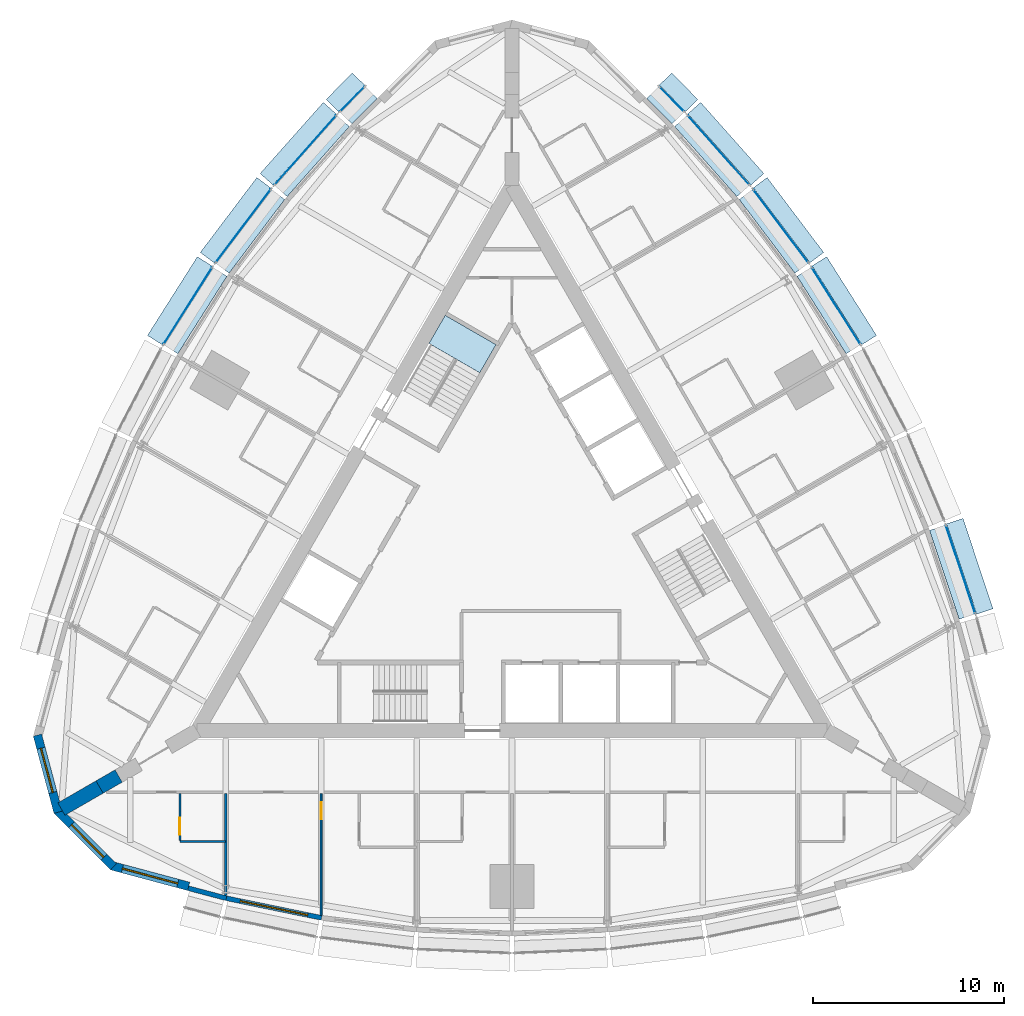
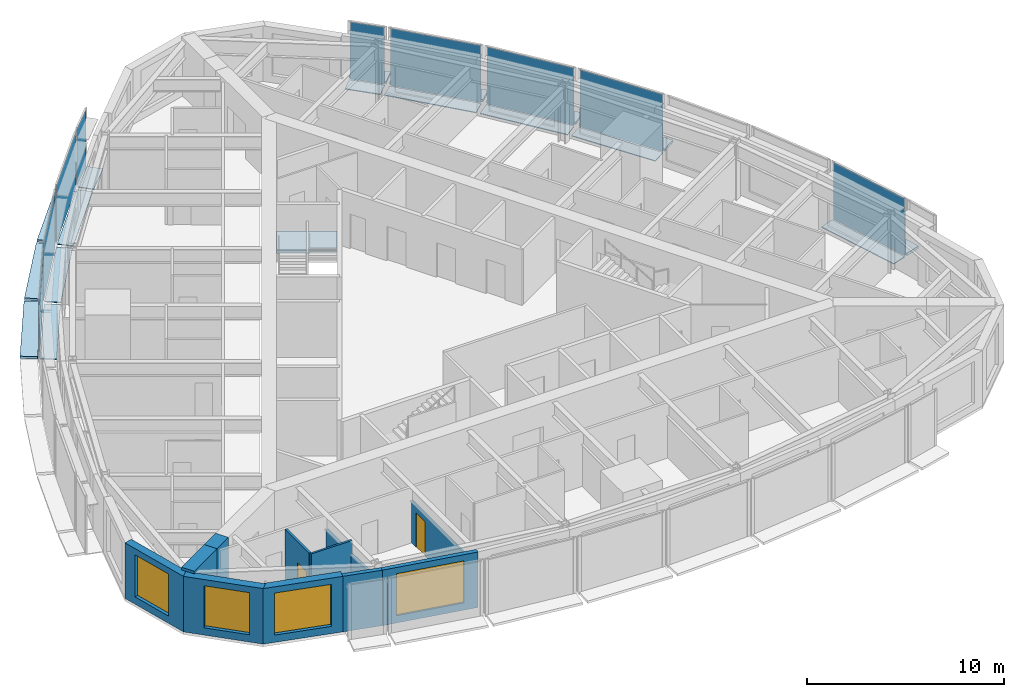
# One storey, part 8 of 15: 27 plates, 11 walls, 4 windows, 2 doors, 1 slab, 6 openings, 10 elements without a shape of their own.
"""IFC4 building model written with IfcOpenShell, lengths in metres."""

from ifc_helpers import new_model, si_unit, direction, frame, frame_2d, origin, origin_2d, place, context, subcontext, project, spatial, polyline, rectangle, outline, extrude, material, layer, layer_set, type_object, element, fill, aggregate, save


model = new_model("IFC4")

# Units and contexts
model_context = context("Model", 3, precision=1e-05, world=origin(), true_north=direction((0.0, 1.0)))
body_context = subcontext(model_context, "Body", "Model", "MODEL_VIEW")
ifc_project = project(units=[si_unit("LENGTHUNIT", "METRE"), si_unit("AREAUNIT", "SQUARE_METRE"), si_unit("VOLUMEUNIT", "CUBIC_METRE"), si_unit("PLANEANGLEUNIT", "RADIAN"), si_unit("MASSUNIT", "GRAM", prefix="KILO")], contexts=[model_context])

# Site, building, storey
site_placement = place(None, origin())
site = spatial("IfcSite", under=ifc_project, at=site_placement, CompositionType="ELEMENT")
building_placement = place(site_placement, origin())
building = spatial("IfcBuilding", under=site, at=building_placement, Name="Trikona Tower", CompositionType="ELEMENT")
storey_placement = place(building_placement, frame((0.0, 0.0, 204.5)))
storey = spatial("IfcBuildingStorey", under=building, at=storey_placement, Name="L54", CompositionType="ELEMENT", Elevation=204.5)

# Plates
ifc_material_1 = material(Name="Aluminium bar grating", Category="aluminium")
ifc_layer_1 = layer(ifc_material_1, 0.050048828125)
ifc_layer_set_1 = layer_set([ifc_layer_1], Name="Cavity catwalk grating")
plate_type_1 = type_object("IfcPlateType", Name="Cavity catwalk grating", PredefinedType="USERDEFINED", material=ifc_layer_set_1)
plate_1_placement = place(storey_placement, frame((23.05078125, -1.22314453125, -0.0498046875), z_axis=(0.0, 0.0, 1.0), x_axis=(-0.315092532747, 0.949060954737, 0.0)))
element("IfcPlate", 1, at=plate_1_placement, inside=storey, type_object=plate_type_1, Name="Cavity catwalk L54-13", ObjectType="CATWALK GRATING", PredefinedType="USERDEFINED", context=body_context, shape_type="SweptSolid", body=[
    extrude(rectangle(XDim=4.90478515625, YDim=0.840087890625, at=origin_2d()), origin(), (0.0, 0.0, 1.0), 0.050048828125),
])
plate_2_placement = place(storey_placement, frame((16.57666015625, 12.477294921875, -0.0498046875), z_axis=(0.0, 0.0, 1.0), x_axis=(-0.535204777743, 0.844722348397, 0.0)))
element("IfcPlate", 2, at=plate_2_placement, inside=storey, type_object=plate_type_1, Name="Cavity catwalk L54-16", ObjectType="CATWALK GRATING", PredefinedType="USERDEFINED", context=body_context, shape_type="SweptSolid", body=[
    extrude(rectangle(XDim=4.80419921875, YDim=0.840087890625, at=origin_2d()), origin(), (0.0, 0.0, 1.0), 0.050048828125),
])
plate_3_placement = place(storey_placement, frame((13.70068359375, 16.6298828125, -0.0498046875), z_axis=(0.0, 0.0, 1.0), x_axis=(-0.602401684924, 0.798193090674, 0.0)))
element("IfcPlate", 3, at=plate_3_placement, inside=storey, type_object=plate_type_1, Name="Cavity catwalk L54-17", ObjectType="CATWALK GRATING", PredefinedType="USERDEFINED", context=body_context, shape_type="SweptSolid", body=[
    extrude(rectangle(XDim=4.837890625, YDim=0.840087890625, at=origin_2d()), origin(), (0.0, 0.0, 1.0), 0.050048828125),
])
plate_4_placement = place(storey_placement, frame((10.466064453125, 20.57421875, -0.0498046875), z_axis=(0.0, 0.0, 1.0), x_axis=(-0.664367239113, 0.747406296196, 0.0)))
element("IfcPlate", 4, at=plate_4_placement, inside=storey, type_object=plate_type_1, Name="Cavity catwalk L54-18", ObjectType="CATWALK GRATING", PredefinedType="USERDEFINED", context=body_context, shape_type="SweptSolid", body=[
    extrude(rectangle(XDim=4.90478515625, YDim=0.840087890625, at=origin_2d()), origin(), (0.0, 0.0, 1.0), 0.050048828125),
])
for number, where, z_axis, x_axis, name in (
    (5, (8.0263671875, 23.23291015625, -0.0498046875), (0.0, 0.0, 1.0), (-0.704151057285, 0.710050201412, 0.0), "Cavity catwalk L54-19"),
    (6, (-8.0263671875, 23.23291015625, -0.0498046875), (0.0, 0.0, 1.0), (-0.704151057285, -0.710050201412, 0.0), "Cavity catwalk L54-24"),
):
    element("IfcPlate", number, at=place(storey_placement, frame(where, z_axis=z_axis, x_axis=x_axis)), inside=storey, type_object=plate_type_1, Name=name, ObjectType="CATWALK GRATING", PredefinedType="USERDEFINED", context=body_context, shape_type="SweptSolid", body=[
        extrude(rectangle(XDim=1.868408203125, YDim=0.840087890625, at=origin_2d()), origin(), (0.0, 0.0, 1.0), 0.050048828125),
    ])
plate_5_placement = place(storey_placement, frame((-10.466064453125, 20.57421875, -0.0498046875), z_axis=(0.0, 0.0, 1.0), x_axis=(-0.664367239113, -0.747406296196, 0.0)))
element("IfcPlate", 7, at=plate_5_placement, inside=storey, type_object=plate_type_1, Name="Cavity catwalk L54-25", ObjectType="CATWALK GRATING", PredefinedType="USERDEFINED", context=body_context, shape_type="SweptSolid", body=[
    extrude(rectangle(XDim=4.90478515625, YDim=0.840087890625, at=origin_2d()), origin(), (0.0, 0.0, 1.0), 0.050048828125),
])
plate_6_placement = place(storey_placement, frame((-13.70068359375, 16.6298828125, -0.0498046875), z_axis=(0.0, 0.0, 1.0), x_axis=(-0.602401684924, -0.798193090674, 0.0)))
element("IfcPlate", 8, at=plate_6_placement, inside=storey, type_object=plate_type_1, Name="Cavity catwalk L54-26", ObjectType="CATWALK GRATING", PredefinedType="USERDEFINED", context=body_context, shape_type="SweptSolid", body=[
    extrude(rectangle(XDim=4.837890625, YDim=0.840087890625, at=origin_2d()), origin(), (0.0, 0.0, 1.0), 0.050048828125),
])
plate_7_placement = place(storey_placement, frame((-16.57666015625, 12.477294921875, -0.0498046875), z_axis=(0.0, 0.0, 1.0), x_axis=(-0.535204777743, -0.844722348397, 0.0)))
element("IfcPlate", 9, at=plate_7_placement, inside=storey, type_object=plate_type_1, Name="Cavity catwalk L54-27", ObjectType="CATWALK GRATING", PredefinedType="USERDEFINED", context=body_context, shape_type="SweptSolid", body=[
    extrude(rectangle(XDim=4.80419921875, YDim=0.840087890625, at=origin_2d()), origin(), (0.0, 0.0, 1.0), 0.050048828125),
])

# Curtain wall, plate
ifc_material_2 = material(Name="Aluminium curtain wall system", Category="aluminium")
curtain_wall_type = type_object("IfcCurtainWallType", Name="Curtain wall DS3", PredefinedType="NOTDEFINED", material=ifc_material_2)
curtain_wall_1_placement = place(storey_placement, origin())
curtain_wall_1 = element("IfcCurtainWall", 10, at=curtain_wall_1_placement, inside=storey, type_object=curtain_wall_type, Name="Curtain wall DS3 L54", PredefinedType="NOTDEFINED")
ifc_material_3 = material(Name="Laminated clear glass", Category="glass")
ifc_layer_2 = layer(ifc_material_3, 0.028076171875)
ifc_layer_set_2 = layer_set([ifc_layer_2], Name="Glass panel DS3")
plate_type_2 = type_object("IfcPlateType", Name="Glass panel DS3", PredefinedType="CURTAIN_PANEL", material=ifc_layer_set_2)
plate_8_placement = place(storey_placement, frame((23.50634765625, -1.072021484375, 0.0), z_axis=(0.0, 0.0, 1.0), x_axis=(-0.315078038687, 0.949065766708, 0.0)))
plate_8 = element("IfcPlate", 11, at=plate_8_placement, type_object=plate_type_2, Name="CW-DS3 panel 1.1", PredefinedType="CURTAIN_PANEL", context=body_context, shape_type="SweptSolid", body=[
    extrude(rectangle(XDim=4.8447265625, YDim=0.028076171875, at=origin_2d()), origin(), (0.0, 0.0, 1.0), 3.530029296875),
])
aggregate(curtain_wall_1, [plate_8])

curtain_wall_2_placement = place(storey_placement, origin())
curtain_wall_2 = element("IfcCurtainWall", 12, at=curtain_wall_2_placement, inside=storey, type_object=curtain_wall_type, Name="Curtain wall DS3 L54", PredefinedType="NOTDEFINED")
plate_9_placement = place(storey_placement, frame((16.982177734375, 12.734130859375, 0.0), z_axis=(0.0, 0.0, 1.0), x_axis=(-0.535197227854, 0.844727131858, 0.0)))
plate_9 = element("IfcPlate", 13, at=plate_9_placement, type_object=plate_type_2, Name="CW-DS3 panel 1.1", PredefinedType="CURTAIN_PANEL", context=body_context, shape_type="SweptSolid", body=[
    extrude(rectangle(XDim=4.744140625, YDim=0.028076171875, at=origin_2d()), origin(), (0.0, 0.0, 1.0), 3.530029296875),
])
aggregate(curtain_wall_2, [plate_9])

curtain_wall_3_placement = place(storey_placement, origin())
curtain_wall_3 = element("IfcCurtainWall", 14, at=curtain_wall_3_placement, inside=storey, type_object=curtain_wall_type, Name="Curtain wall DS3 L54", PredefinedType="NOTDEFINED")
plate_10_placement = place(storey_placement, frame((14.083740234375, 16.9189453125, 0.0), z_axis=(0.0, 0.0, 1.0), x_axis=(-0.602401528506, 0.798193208724, 0.0)))
plate_10 = element("IfcPlate", 15, at=plate_10_placement, type_object=plate_type_2, Name="CW-DS3 panel 1.1", PredefinedType="CURTAIN_PANEL", context=body_context, shape_type="SweptSolid", body=[
    extrude(rectangle(XDim=4.778076171875, YDim=0.028076171875, at=origin_2d()), origin(), (0.0, 0.0, 1.0), 3.530029296875),
])
aggregate(curtain_wall_3, [plate_10])

curtain_wall_4_placement = place(storey_placement, origin())
curtain_wall_4 = element("IfcCurtainWall", 16, at=curtain_wall_4_placement, inside=storey, type_object=curtain_wall_type, Name="Curtain wall DS3 L54", PredefinedType="NOTDEFINED")
plate_11_placement = place(storey_placement, frame((10.82470703125, 20.89306640625, 0.0), z_axis=(0.0, 0.0, 1.0), x_axis=(-0.664371309689, 0.747402677853, 0.0)))
plate_11 = element("IfcPlate", 17, at=plate_11_placement, type_object=plate_type_2, Name="CW-DS3 panel 1.1", PredefinedType="CURTAIN_PANEL", context=body_context, shape_type="SweptSolid", body=[
    extrude(rectangle(XDim=4.844970703125, YDim=0.028076171875, at=origin_2d()), origin(), (0.0, 0.0, 1.0), 3.530029296875),
])
aggregate(curtain_wall_4, [plate_11])

curtain_wall_5_placement = place(storey_placement, origin())
curtain_wall_5 = element("IfcCurtainWall", 18, at=curtain_wall_5_placement, inside=storey, type_object=curtain_wall_type, Name="Curtain wall DS3 L54", PredefinedType="NOTDEFINED")
plate_12_placement = place(storey_placement, frame((8.3671875, 23.57080078125, 0.0), z_axis=(0.0, 0.0, 1.0), x_axis=(-0.704149343903, 0.710051900554, 0.0)))
plate_12 = element("IfcPlate", 19, at=plate_12_placement, type_object=plate_type_2, Name="CW-DS3 panel 1.1", PredefinedType="CURTAIN_PANEL", context=body_context, shape_type="SweptSolid", body=[
    extrude(rectangle(XDim=1.808349609375, YDim=0.028076171875, at=origin_2d()), origin(), (0.0, 0.0, 1.0), 3.530029296875),
])
aggregate(curtain_wall_5, [plate_12])

curtain_wall_6_placement = place(storey_placement, origin())
curtain_wall_6 = element("IfcCurtainWall", 20, at=curtain_wall_6_placement, inside=storey, type_object=curtain_wall_type, Name="Curtain wall DS3 L54", PredefinedType="NOTDEFINED")
plate_13_placement = place(storey_placement, frame((-8.3671875, 23.57080078125, 0.0), z_axis=(0.0, 0.0, 1.0), x_axis=(-0.704149343903, -0.710051900554, 0.0)))
plate_13 = element("IfcPlate", 21, at=plate_13_placement, type_object=plate_type_2, Name="CW-DS3 panel 1.1", PredefinedType="CURTAIN_PANEL", context=body_context, shape_type="SweptSolid", body=[
    extrude(rectangle(XDim=1.808349609375, YDim=0.028076171875, at=origin_2d()), origin(), (0.0, 0.0, 1.0), 3.530029296875),
])
aggregate(curtain_wall_6, [plate_13])

curtain_wall_7_placement = place(storey_placement, origin())
curtain_wall_7 = element("IfcCurtainWall", 22, at=curtain_wall_7_placement, inside=storey, type_object=curtain_wall_type, Name="Curtain wall DS3 L54", PredefinedType="NOTDEFINED")
plate_14_placement = place(storey_placement, frame((-10.82470703125, 20.89306640625, 0.0), z_axis=(0.0, 0.0, 1.0), x_axis=(-0.664371309689, -0.747402677853, 0.0)))
plate_14 = element("IfcPlate", 23, at=plate_14_placement, type_object=plate_type_2, Name="CW-DS3 panel 1.1", PredefinedType="CURTAIN_PANEL", context=body_context, shape_type="SweptSolid", body=[
    extrude(rectangle(XDim=4.844970703125, YDim=0.028076171875, at=origin_2d()), origin(), (0.0, 0.0, 1.0), 3.530029296875),
])
aggregate(curtain_wall_7, [plate_14])

curtain_wall_8_placement = place(storey_placement, origin())
curtain_wall_8 = element("IfcCurtainWall", 24, at=curtain_wall_8_placement, inside=storey, type_object=curtain_wall_type, Name="Curtain wall DS3 L54", PredefinedType="NOTDEFINED")
plate_15_placement = place(storey_placement, frame((-14.083740234375, 16.9189453125, 0.0), z_axis=(0.0, 0.0, 1.0), x_axis=(-0.602401528506, -0.798193208724, 0.0)))
plate_15 = element("IfcPlate", 25, at=plate_15_placement, type_object=plate_type_2, Name="CW-DS3 panel 1.1", PredefinedType="CURTAIN_PANEL", context=body_context, shape_type="SweptSolid", body=[
    extrude(rectangle(XDim=4.778076171875, YDim=0.028076171875, at=origin_2d()), origin(), (0.0, 0.0, 1.0), 3.530029296875),
])
aggregate(curtain_wall_8, [plate_15])

curtain_wall_9_placement = place(storey_placement, origin())
curtain_wall_9 = element("IfcCurtainWall", 26, at=curtain_wall_9_placement, inside=storey, type_object=curtain_wall_type, Name="Curtain wall DS3 L54", PredefinedType="NOTDEFINED")
plate_16_placement = place(storey_placement, frame((-16.982177734375, 12.734130859375, 0.0), z_axis=(0.0, 0.0, 1.0), x_axis=(-0.535197227854, -0.844727131858, 0.0)))
plate_16 = element("IfcPlate", 27, at=plate_16_placement, type_object=plate_type_2, Name="CW-DS3 panel 1.1", PredefinedType="CURTAIN_PANEL", context=body_context, shape_type="SweptSolid", body=[
    extrude(rectangle(XDim=4.744140625, YDim=0.028076171875, at=origin_2d()), origin(), (0.0, 0.0, 1.0), 3.530029296875),
])
aggregate(curtain_wall_9, [plate_16])

# Plates
ifc_material_4 = material(Name="Aluminium plate fin, pale anodised, on stainless steel outriggers", Category="steel")
ifc_layer_3 = layer(ifc_material_4, 0.14990234375)
ifc_layer_set_3 = layer_set([ifc_layer_3], Name="Outer skin fin 900")
plate_type_3 = type_object("IfcPlateType", Name="Outer skin fin 900", PredefinedType="USERDEFINED", material=ifc_layer_set_3)
plate_17_placement = place(storey_placement, frame((23.990234375, -0.9111328125, 0.0), z_axis=(0.0, 0.0, 1.0), x_axis=(-0.315092532747, 0.949060954737, 0.0)))
element("IfcPlate", 28, at=plate_17_placement, inside=storey, type_object=plate_type_3, Name="Outer skin fin L54-13", ObjectType="FIN", PredefinedType="USERDEFINED", context=body_context, shape_type="SweptSolid", body=[
    extrude(rectangle(XDim=4.98486328125, YDim=0.89990234375, at=origin_2d()), origin(), (0.0, 0.0, 1.0), 0.14990234375),
])
plate_18_placement = place(storey_placement, frame((17.4130859375, 13.007080078125, 0.0), z_axis=(0.0, 0.0, 1.0), x_axis=(-0.535204777743, 0.844722348397, 0.0)))
element("IfcPlate", 29, at=plate_18_placement, inside=storey, type_object=plate_type_3, Name="Outer skin fin L54-16", ObjectType="FIN", PredefinedType="USERDEFINED", context=body_context, shape_type="SweptSolid", body=[
    extrude(rectangle(XDim=4.88427734375, YDim=0.89990234375, at=origin_2d()), origin(), (0.0, 0.0, 1.0), 0.14990234375),
])
plate_19_placement = place(storey_placement, frame((14.49072265625, 17.22607421875, 0.0), z_axis=(0.0, 0.0, 1.0), x_axis=(-0.602401684924, 0.798193090674, 0.0)))
element("IfcPlate", 30, at=plate_19_placement, inside=storey, type_object=plate_type_3, Name="Outer skin fin L54-17", ObjectType="FIN", PredefinedType="USERDEFINED", context=body_context, shape_type="SweptSolid", body=[
    extrude(rectangle(XDim=4.91796875, YDim=0.89990234375, at=origin_2d()), origin(), (0.0, 0.0, 1.0), 0.14990234375),
])
plate_20_placement = place(storey_placement, frame((11.2060546875, 21.23193359375, 0.0), z_axis=(0.0, 0.0, 1.0), x_axis=(-0.664367239113, 0.747406296196, 0.0)))
element("IfcPlate", 31, at=plate_20_placement, inside=storey, type_object=plate_type_3, Name="Outer skin fin L54-18", ObjectType="FIN", PredefinedType="USERDEFINED", context=body_context, shape_type="SweptSolid", body=[
    extrude(rectangle(XDim=4.98486328125, YDim=0.89990234375, at=origin_2d()), origin(), (0.0, 0.0, 1.0), 0.14990234375),
])
for number, where, z_axis, x_axis, name in (
    (32, (8.7294921875, 23.929931640625, 0.0), (0.0, 0.0, 1.0), (-0.704151057285, 0.710050201412, 0.0), "Outer skin fin L54-19"),
    (33, (-8.7294921875, 23.929931640625, 0.0), (0.0, 0.0, 1.0), (-0.704151057285, -0.710050201412, 0.0), "Outer skin fin L54-24"),
):
    element("IfcPlate", number, at=place(storey_placement, frame(where, z_axis=z_axis, x_axis=x_axis)), inside=storey, type_object=plate_type_3, Name=name, ObjectType="FIN", PredefinedType="USERDEFINED", context=body_context, shape_type="SweptSolid", body=[
        extrude(rectangle(XDim=1.9482421875, YDim=0.89990234375, at=origin_2d()), origin(), (0.0, 0.0, 1.0), 0.14990234375),
    ])
plate_21_placement = place(storey_placement, frame((-11.2060546875, 21.23193359375, 0.0), z_axis=(0.0, 0.0, 1.0), x_axis=(-0.664367239113, -0.747406296196, 0.0)))
element("IfcPlate", 34, at=plate_21_placement, inside=storey, type_object=plate_type_3, Name="Outer skin fin L54-25", ObjectType="FIN", PredefinedType="USERDEFINED", context=body_context, shape_type="SweptSolid", body=[
    extrude(rectangle(XDim=4.98486328125, YDim=0.89990234375, at=origin_2d()), origin(), (0.0, 0.0, 1.0), 0.14990234375),
])
plate_22_placement = place(storey_placement, frame((-14.49072265625, 17.22607421875, 0.0), z_axis=(0.0, 0.0, 1.0), x_axis=(-0.602401684924, -0.798193090674, 0.0)))
element("IfcPlate", 35, at=plate_22_placement, inside=storey, type_object=plate_type_3, Name="Outer skin fin L54-26", ObjectType="FIN", PredefinedType="USERDEFINED", context=body_context, shape_type="SweptSolid", body=[
    extrude(rectangle(XDim=4.91796875, YDim=0.89990234375, at=origin_2d()), origin(), (0.0, 0.0, 1.0), 0.14990234375),
])
plate_23_placement = place(storey_placement, frame((-17.4130859375, 13.007080078125, 0.0), z_axis=(0.0, 0.0, 1.0), x_axis=(-0.535204777743, -0.844722348397, 0.0)))
element("IfcPlate", 36, at=plate_23_placement, inside=storey, type_object=plate_type_3, Name="Outer skin fin L54-27", ObjectType="FIN", PredefinedType="USERDEFINED", context=body_context, shape_type="SweptSolid", body=[
    extrude(rectangle(XDim=4.88427734375, YDim=0.89990234375, at=origin_2d()), origin(), (0.0, 0.0, 1.0), 0.14990234375),
])

# Stair, slab
ifc_material_5 = material(Name="Concrete f'c 5000 psi", Category="concrete")
stair_type = type_object("IfcStairType", Name="Core stair", PredefinedType="HALF_TURN_STAIR", material=ifc_material_5)
stair_placement = place(storey_placement, origin())
stair = element("IfcStair", 37, at=stair_placement, inside=storey, type_object=stair_type, Name="Stair C L54", PredefinedType="HALF_TURN_STAIR")
ifc_material_6 = material(Name="Concrete f'c 5000 psi", Category="concrete")
ifc_layer_4 = layer(ifc_material_6, 0.199951171875)
ifc_layer_set_4 = layer_set([ifc_layer_4], Name="Stair landing 200")
slab_type = type_object("IfcSlabType", Name="Stair landing 200", PredefinedType="LANDING", material=ifc_layer_set_4)
slab_placement = place(storey_placement, frame((0.0, 0.0, 1.60009765625)))
slab = element("IfcSlab", 38, at=slab_placement, type_object=slab_type, Name="ST-C landing 2", PredefinedType="LANDING", context=body_context, shape_type="SweptSolid", body=[
    extrude(outline(polyline([(-0.837158203125, 10.702392578125), (-1.688720703125, 9.2275390625), (-4.351806640625, 10.76513671875), (-3.500244140625, 12.239990234375), (-0.837158203125, 10.702392578125)])), origin(), (0.0, 0.0, 1.0), 0.199951171875),
])
aggregate(stair, [slab])

# Wall
ifc_material_7 = material(Name="Metal stud and cement board", Category="gypsum")
ifc_layer_5 = layer(ifc_material_7, 0.1201171875)
ifc_layer_set_5 = layer_set([ifc_layer_5], Name="Bathroom wall 120")
wall_type_1 = type_object("IfcWallType", Name="Bathroom wall 120", PredefinedType="PLUMBINGWALL", material=ifc_layer_set_5)
wall_1_placement = place(storey_placement, frame((-17.39990234375, -15.326416015625, 0.0), z_axis=(0.0, 0.0, 1.0), x_axis=(1.0, 0.0, 0.0)))
element("IfcWall", 39, at=wall_1_placement, inside=storey, type_object=wall_type_1, Name="Bathroom wall 5401", PredefinedType="PLUMBINGWALL", context=body_context, shape_type="SweptSolid", body=[
    extrude(rectangle(XDim=2.39990234375, YDim=0.1201171875, at=frame_2d((1.199951171875, 0.0))), origin(), (0.0, 0.0, 1.0), 3.43505859375),
])

# Wall, opening, door
wall_2_placement = place(storey_placement, frame((-17.39990234375, -12.826416015625, 0.0), z_axis=(0.0, 0.0, 1.0), x_axis=(0.0, -1.0, 0.0)))
wall_2 = element("IfcWall", 40, at=wall_2_placement, inside=storey, type_object=wall_type_1, Name="Bathroom wall 5401", PredefinedType="PLUMBINGWALL", context=body_context, shape_type="SweptSolid", body=[
    extrude(rectangle(XDim=2.43994140625, YDim=0.1201171875, at=frame_2d((1.219970703125, 0.0))), origin(), (0.0, 0.0, 1.0), 3.43505859375),
])
opening_1_placement = place(wall_2_placement, frame((1.25, 0.0, 0.0)))
opening_1 = element("IfcOpeningElement", 41, at=opening_1_placement, cuts=wall_2, Name="Opening D2", PredefinedType="OPENING", context=body_context, shape_type="SweptSolid", body=[
    extrude(rectangle(XDim=0.89990234375, YDim=2.1298828125, at=frame_2d((0.449951171875, 1.06494140625))), frame((0.0, 0.070068359375, 0.0), z_axis=(0.0, -1.0, 0.0), x_axis=(1.0, 0.0, 0.0)), (0.0, 0.0, 1.0), 0.14013671875),
])
ifc_material_8 = material(Name="Steel door frame with solid-core timber leaf", Category="steel")
door_type_1 = type_object("IfcDoorType", Name="Bathroom door 900x2130", OperationType="SLIDING_TO_LEFT", PredefinedType="DOOR", material=ifc_material_8)
door_1_placement = place(opening_1_placement, origin())
door_1 = element("IfcDoor", 42, at=door_1_placement, inside=storey, type_object=door_type_1, Name="Bathroom door 5401", OperationType="SLIDING_TO_LEFT", OverallHeight=2.1298828125, OverallWidth=0.89990234375, PredefinedType="DOOR", context=body_context, shape_type="SweptSolid", body=[
    extrude(rectangle(XDim=0.89990234375, YDim=2.1298828125, at=frame_2d((0.449951171875, 1.06494140625))), frame((0.0, 0.02490234375, 0.0), z_axis=(0.0, -1.0, 0.0), x_axis=(1.0, 0.0, 0.0)), (0.0, 0.0, 1.0), 0.050048828125),
])
fill(opening_1, door_1)

# Wall, opening, window
ifc_material_9 = material(Name="Brick-faced precast concrete", Category="masonry")
ifc_layer_6 = layer(ifc_material_9, 0.449951171875)
ifc_layer_set_6 = layer_set([ifc_layer_6], Name="Brick-faced corner wall 450")
wall_type_2 = type_object("IfcWallType", Name="Brick-faced corner wall 450", PredefinedType="SOLIDWALL", material=ifc_layer_set_6)
wall_3_placement = place(storey_placement, frame((-24.865478515625, -9.7568359375, 0.0), z_axis=(0.0, 0.0, 1.0), x_axis=(0.258799282522, -0.96593112144, 0.0)))
wall_3 = element("IfcWall", 43, at=wall_3_placement, inside=storey, type_object=wall_type_2, Name="External wall L54-33", PredefinedType="SOLIDWALL", context=body_context, shape_type="SweptSolid", body=[
    extrude(outline(polyline([(4.183837890625, 0.22509765625), (4.12451171875, 0.22509765625), (3.705078125, 0.112548828125), (3.675048828125, 0.22509765625), (0.0, 0.22509765625), (0.0, -0.22509765625), (4.183837890625, -0.22509765625), (4.183837890625, 0.22509765625)])), origin(), (0.0, 0.0, 1.0), 3.43505859375),
])
opening_2_placement = place(wall_3_placement, frame((0.712646484375, 0.0, 0.449951171875)))
opening_2 = element("IfcOpeningElement", 44, at=opening_2_placement, cuts=wall_3, Name="Opening W2426", PredefinedType="OPENING", context=body_context, shape_type="SweptSolid", body=[
    extrude(rectangle(XDim=2.39990234375, YDim=2.60009765625, at=frame_2d((1.199951171875, 1.300048828125))), frame((0.0, 0.23486328125, 0.0), z_axis=(0.0, -1.0, 0.0), x_axis=(1.0, 0.0, 0.0)), (0.0, 0.0, 1.0), 0.469970703125),
])
ifc_material_10 = material(Name="Aluminium-framed double glazing", Category="aluminium")
window_type_1 = type_object("IfcWindowType", Name="Window 2400x2600", PartitioningType="SINGLE_PANEL", PredefinedType="WINDOW", material=ifc_material_10)
window_1_placement = place(opening_2_placement, origin())
window_1 = element("IfcWindow", 45, at=window_1_placement, inside=storey, type_object=window_type_1, Name="Window 5416", OverallHeight=2.60009765625, OverallWidth=2.39990234375, PartitioningType="SINGLE_PANEL", PredefinedType="WINDOW", context=body_context, shape_type="SweptSolid", body=[
    extrude(rectangle(XDim=2.39990234375, YDim=2.60009765625, at=frame_2d((1.199951171875, 1.300048828125))), frame((0.0, 0.030029296875, 0.0), z_axis=(0.0, -1.0, 0.0), x_axis=(1.0, 0.0, 0.0)), (0.0, 0.0, 1.0), 0.06005859375),
])
fill(opening_2, window_1)

wall_4_placement = place(storey_placement, frame((-23.8408203125, -13.697265625, 0.0), z_axis=(0.0, 0.0, 1.0), x_axis=(0.707077605902, -0.707135955267, 0.0)))
wall_4 = element("IfcWall", 46, at=wall_4_placement, inside=storey, type_object=wall_type_2, Name="External wall L54-34", PredefinedType="SOLIDWALL", context=body_context, shape_type="SweptSolid", body=[
    extrude(outline(polyline([(4.18408203125, 0.22509765625), (0.5087890625, 0.22509765625), (0.478759765625, 0.112548828125), (0.05908203125, 0.22509765625), (0.0, 0.22509765625), (0.0, -0.22509765625), (4.18408203125, -0.22509765625), (4.18408203125, 0.22509765625)])), origin(), (0.0, 0.0, 1.0), 3.43505859375),
])
opening_3_placement = place(wall_4_placement, frame((1.0712890625, 0.0, 0.449951171875)))
opening_3 = element("IfcOpeningElement", 47, at=opening_3_placement, cuts=wall_4, Name="Opening W2426", PredefinedType="OPENING", context=body_context, shape_type="SweptSolid", body=[
    extrude(rectangle(XDim=2.39990234375, YDim=2.60009765625, at=frame_2d((1.199951171875, 1.300048828125))), frame((0.0, 0.23486328125, 0.0), z_axis=(0.0, -1.0, 0.0), x_axis=(1.0, 0.0, 0.0)), (0.0, 0.0, 1.0), 0.469970703125),
])
window_2_placement = place(opening_3_placement, origin())
window_2 = element("IfcWindow", 48, at=window_2_placement, inside=storey, type_object=window_type_1, Name="Window 5401", OverallHeight=2.60009765625, OverallWidth=2.39990234375, PartitioningType="SINGLE_PANEL", PredefinedType="WINDOW", context=body_context, shape_type="SweptSolid", body=[
    extrude(rectangle(XDim=2.39990234375, YDim=2.60009765625, at=frame_2d((1.199951171875, 1.300048828125))), frame((0.0, 0.030029296875, 0.0), z_axis=(0.0, -1.0, 0.0), x_axis=(1.0, 0.0, 0.0)), (0.0, 0.0, 1.0), 0.06005859375),
])
fill(opening_3, window_2)

wall_5_placement = place(storey_placement, frame((-20.9833984375, -16.59765625, 0.0), z_axis=(0.0, 0.0, 1.0), x_axis=(0.965920442324, -0.258839137498, 0.0)))
wall_5 = element("IfcWall", 49, at=wall_5_placement, inside=storey, type_object=wall_type_2, Name="External wall L54-35", PredefinedType="SOLIDWALL", context=body_context, shape_type="SweptSolid", body=[
    extrude(rectangle(XDim=4.18408203125, YDim=0.449951171875, at=frame_2d((2.092041015625, 0.0))), origin(), (0.0, 0.0, 1.0), 3.43505859375),
])
opening_4_placement = place(wall_5_placement, frame((0.592041015625, 0.0, 0.449951171875)))
opening_4 = element("IfcOpeningElement", 50, at=opening_4_placement, cuts=wall_5, Name="Opening W3026", PredefinedType="OPENING", context=body_context, shape_type="SweptSolid", body=[
    extrude(rectangle(XDim=3.0, YDim=2.60009765625, at=frame_2d((1.5, 1.300048828125))), frame((0.0, 0.23486328125, 0.0), z_axis=(0.0, -1.0, 0.0), x_axis=(1.0, 0.0, 0.0)), (0.0, 0.0, 1.0), 0.469970703125),
])
ifc_material_11 = material(Name="Aluminium-framed double glazing", Category="aluminium")
window_type_2 = type_object("IfcWindowType", Name="Window 3000x2600", PartitioningType="SINGLE_PANEL", PredefinedType="WINDOW", material=ifc_material_11)
window_3_placement = place(opening_4_placement, origin())
window_3 = element("IfcWindow", 51, at=window_3_placement, inside=storey, type_object=window_type_2, Name="Window 5401", OverallHeight=2.60009765625, OverallWidth=3.0, PartitioningType="SINGLE_PANEL", PredefinedType="WINDOW", context=body_context, shape_type="SweptSolid", body=[
    extrude(rectangle(XDim=3.0, YDim=2.60009765625, at=frame_2d((1.5, 1.300048828125))), frame((0.0, 0.030029296875, 0.0), z_axis=(0.0, -1.0, 0.0), x_axis=(1.0, 0.0, 0.0)), (0.0, 0.0, 1.0), 0.06005859375),
])
fill(opening_4, window_3)

# Walls
ifc_material_12 = material(Name="Concrete f'c 10000 psi", Category="concrete")
ifc_layer_7 = layer(ifc_material_12, 0.75)
ifc_layer_set_7 = layer_set([ifc_layer_7], Name="Buttress wall 750")
wall_type_3 = type_object("IfcWallType", Name="Buttress wall 750", PredefinedType="SHEAR", material=ifc_layer_set_7)
wall_6_placement = place(storey_placement, frame((-20.6103515625, -11.8994140625, 0.0), z_axis=(0.0, 0.0, 1.0), x_axis=(-0.866009537788, -0.500027479704, 0.0)))
element("IfcWall", 52, at=wall_6_placement, inside=storey, type_object=wall_type_3, Name="Buttress wall 3 part 2", PredefinedType="SHEAR", context=body_context, shape_type="SweptSolid", body=[
    extrude(rectangle(XDim=1.15478515625, YDim=0.75, at=frame_2d((0.577392578125, 0.0))), origin(), (0.0, 0.0, 1.0), 3.60009765625),
])
wall_7_placement = place(storey_placement, frame((-21.6103515625, -12.476806640625, 0.0), z_axis=(0.0, 0.0, 1.0), x_axis=(-0.866055313784, -0.499948190782, 0.0)))
element("IfcWall", 53, at=wall_7_placement, inside=storey, type_object=wall_type_3, Name="Buttress wall 3 part 3", PredefinedType="SHEAR", context=body_context, shape_type="SweptSolid", body=[
    extrude(rectangle(XDim=2.309326171875, YDim=0.75, at=frame_2d((1.15478515625, 0.0))), origin(), (0.0, 0.0, 1.0), 3.60009765625),
])
ifc_material_13 = material(Name="Insulated precast concrete spandrel panel", Category="concrete")
ifc_layer_8 = layer(ifc_material_13, 0.25)
ifc_layer_set_8 = layer_set([ifc_layer_8], Name="Inner skin wall 250")
wall_type_4 = type_object("IfcWallType", Name="Inner skin wall 250", PredefinedType="STANDARD", material=ifc_layer_set_8)
wall_8_placement = place(storey_placement, frame((-16.968017578125, -17.777099609375, 0.0), z_axis=(0.0, 0.0, 1.0), x_axis=(0.967010286052, -0.254737328772, 0.0)))
element("IfcWall", 54, at=wall_8_placement, inside=storey, type_object=wall_type_4, Name="External wall L54-00", PredefinedType="STANDARD", context=body_context, shape_type="SweptSolid", body=[
    extrude(rectangle(XDim=2.068115234375, YDim=0.25, at=frame_2d((1.0341796875, 0.0))), origin(), (0.0, 0.0, 1.0), 3.43505859375),
])

# Wall, opening, window
wall_9_placement = place(storey_placement, frame((-14.974853515625, -18.302490234375, 0.0), z_axis=(0.0, 0.0, 1.0), x_axis=(0.979461488189, -0.201631329795, 0.0)))
wall_9 = element("IfcWall", 55, at=wall_9_placement, inside=storey, type_object=wall_type_4, Name="External wall L54-01", PredefinedType="STANDARD", context=body_context, shape_type="SweptSolid", body=[
    extrude(rectangle(XDim=5.104736328125, YDim=0.25, at=frame_2d((2.55224609375, 0.0))), origin(), (0.0, 0.0, 1.0), 3.43505859375),
])
opening_5_placement = place(wall_9_placement, frame((0.75244140625, 0.0, 0.449951171875)))
opening_5 = element("IfcOpeningElement", 56, at=opening_5_placement, cuts=wall_9, Name="Opening W3626", PredefinedType="OPENING", context=body_context, shape_type="SweptSolid", body=[
    extrude(rectangle(XDim=3.60009765625, YDim=2.60009765625, at=frame_2d((1.800048828125, 1.300048828125))), frame((0.0, 0.135009765625, 0.0), z_axis=(0.0, -1.0, 0.0), x_axis=(1.0, 0.0, 0.0)), (0.0, 0.0, 1.0), 0.27001953125),
])
ifc_material_14 = material(Name="Aluminium-framed double glazing", Category="aluminium")
window_type_3 = type_object("IfcWindowType", Name="Window 3600x2600", PartitioningType="SINGLE_PANEL", PredefinedType="WINDOW", material=ifc_material_14)
window_4_placement = place(opening_5_placement, origin())
window_4 = element("IfcWindow", 57, at=window_4_placement, inside=storey, type_object=window_type_3, Name="Window 5402", OverallHeight=2.60009765625, OverallWidth=3.60009765625, PartitioningType="SINGLE_PANEL", PredefinedType="WINDOW", context=body_context, shape_type="SweptSolid", body=[
    extrude(rectangle(XDim=3.60009765625, YDim=2.60009765625, at=frame_2d((1.800048828125, 1.300048828125))), frame((0.0, 0.030029296875, 0.0), z_axis=(0.0, -1.0, 0.0), x_axis=(1.0, 0.0, 0.0)), (0.0, 0.0, 1.0), 0.06005859375),
])
fill(opening_5, window_4)

# Wall
ifc_material_15 = material(Name="Metal stud and gypsum board, 1-hour acoustic", Category="gypsum")
ifc_layer_9 = layer(ifc_material_15, 0.14990234375)
ifc_layer_set_9 = layer_set([ifc_layer_9], Name="Party wall 150")
wall_type_5 = type_object("IfcWallType", Name="Party wall 150", PredefinedType="PARTITIONING", material=ifc_layer_set_9)
wall_10_placement = place(storey_placement, frame((-15.0, -12.826416015625, 0.0), z_axis=(0.0, 0.0, 1.0), x_axis=(0.0, -1.0, 0.0)))
element("IfcWall", 58, at=wall_10_placement, inside=storey, type_object=wall_type_5, Name="Partition L54 F1 u-15", PredefinedType="PARTITIONING", context=body_context, shape_type="SweptSolid", body=[
    extrude(rectangle(XDim=5.340087890625, YDim=0.14990234375, at=frame_2d((2.669921875, 0.0))), origin(), (0.0, 0.0, 1.0), 2.589111328125),
])

# Wall, opening, door
ifc_material_16 = material(Name="Metal stud and gypsum board, acoustic", Category="gypsum")
ifc_layer_10 = layer(ifc_material_16, 0.10009765625)
ifc_layer_set_10 = layer_set([ifc_layer_10], Name="Suite partition 100")
wall_type_6 = type_object("IfcWallType", Name="Suite partition 100", PredefinedType="PARTITIONING", material=ifc_layer_set_10)
wall_11_placement = place(storey_placement, frame((-10.0, -12.826416015625, 0.0), z_axis=(0.0, 0.0, 1.0), x_axis=(0.0, -1.0, 0.0)))
wall_11 = element("IfcWall", 59, at=wall_11_placement, inside=storey, type_object=wall_type_6, Name="Suite partition L54 F1 u-10", PredefinedType="PARTITIONING", context=body_context, shape_type="SweptSolid", body=[
    extrude(rectangle(XDim=6.372802734375, YDim=0.10009765625, at=frame_2d((3.1865234375, 0.0))), origin(), (0.0, 0.0, 1.0), 2.589111328125),
])
opening_6_placement = place(wall_11_placement, frame((0.449951171875, 0.0, 0.0)))
opening_6 = element("IfcOpeningElement", 60, at=opening_6_placement, cuts=wall_11, Name="Opening D13", PredefinedType="OPENING", context=body_context, shape_type="SweptSolid", body=[
    extrude(rectangle(XDim=0.89990234375, YDim=2.1298828125, at=frame_2d((0.449951171875, 1.06494140625))), frame((0.0, 0.06005859375, 0.0), z_axis=(0.0, -1.0, 0.0), x_axis=(1.0, 0.0, 0.0)), (0.0, 0.0, 1.0), 0.1201171875),
])
ifc_material_17 = material(Name="Steel door frame with solid-core timber leaf", Category="steel")
door_type_2 = type_object("IfcDoorType", Name="Suite door 900x2130", OperationType="SINGLE_SWING_LEFT", PredefinedType="DOOR", material=ifc_material_17)
door_2_placement = place(opening_6_placement, origin())
door_2 = element("IfcDoor", 61, at=door_2_placement, inside=storey, type_object=door_type_2, Name="Suite door 5402", OperationType="SINGLE_SWING_LEFT", OverallHeight=2.1298828125, OverallWidth=0.89990234375, PredefinedType="DOOR", context=body_context, shape_type="SweptSolid", body=[
    extrude(rectangle(XDim=0.89990234375, YDim=2.1298828125, at=frame_2d((0.449951171875, 1.06494140625))), frame((0.0, 0.02490234375, 0.0), z_axis=(0.0, -1.0, 0.0), x_axis=(1.0, 0.0, 0.0)), (0.0, 0.0, 1.0), 0.050048828125),
])
fill(opening_6, door_2)

save(model, "model.ifc")
